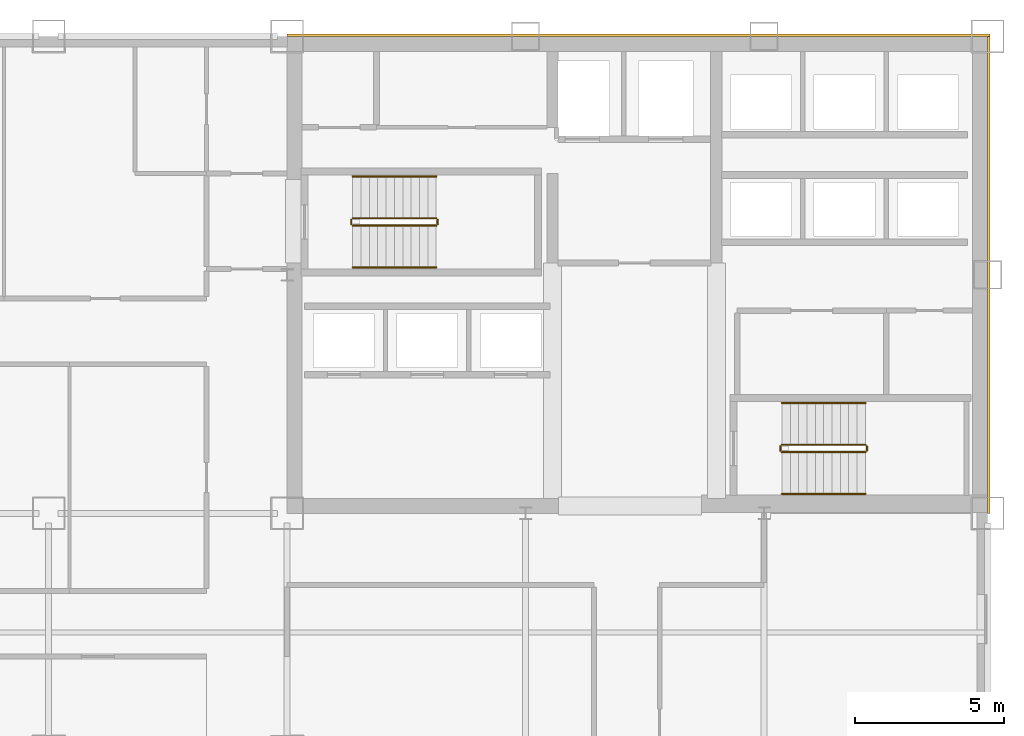
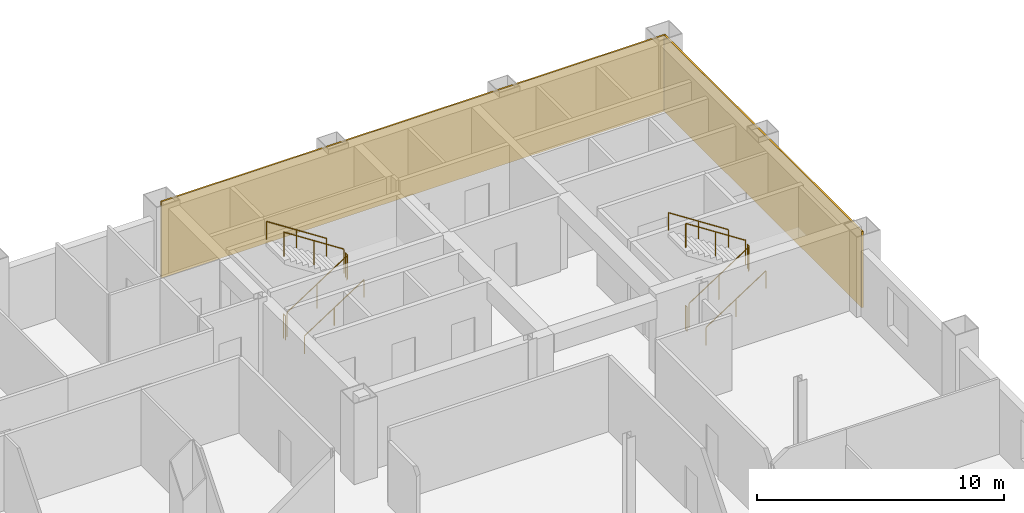
# One storey, part 10 of 10: 12 railings, 2 coverings.
"""IFC4 building model written with IfcOpenShell, lengths in metres."""

from ifc_helpers import new_model, si_unit, direction, frame, origin, origin_2d, place, context, subcontext, project, spatial, rectangle, circle, extrude, material, layer, layer_set, type_object, element, save


model = new_model("IFC4")

# Units and contexts
model_context = context("Model", 3, precision=1e-05, world=origin(), true_north=direction((0.0, 1.0)))
body_context = subcontext(model_context, "Body", "Model", "MODEL_VIEW")
ifc_project = project(units=[si_unit("LENGTHUNIT", "METRE"), si_unit("AREAUNIT", "SQUARE_METRE"), si_unit("VOLUMEUNIT", "CUBIC_METRE"), si_unit("PLANEANGLEUNIT", "RADIAN"), si_unit("MASSUNIT", "GRAM", prefix="KILO")], contexts=[model_context])

# Site, building, storey
site_placement = place(None, origin())
site = spatial("IfcSite", under=ifc_project, at=site_placement, CompositionType="ELEMENT")
building_placement = place(site_placement, origin())
building = spatial("IfcBuilding", under=site, at=building_placement, Name="Qianrong Seaharbour Tower", CompositionType="ELEMENT")
storey_placement = place(building_placement, frame((0.0, 0.0, 179.0)))
storey = spatial("IfcBuildingStorey", under=building, at=storey_placement, Name="L43", CompositionType="ELEMENT", Elevation=179.0)

# Coverings
ifc_material_1 = material(Name="Unitised red brick cladding on Precast concrete C45/55", Category="masonry")
ifc_layer = layer(ifc_material_1, 0.080078125)
ifc_layer_set = layer_set([ifc_layer], Name="Unitised red brick cladding on Precast concrete C45/55")
covering_type = type_object("IfcCoveringType", Name="COV-CLAD-RED-BRICK-80", PredefinedType="CLADDING", material=ifc_layer_set)
covering_1_placement = place(storey_placement, frame((52.2900390625, 52.0400390625, 0.0), z_axis=(0.0, 0.0, 1.0), x_axis=(1.0, 0.0, 0.0)))
element("IfcCovering", 1, at=covering_1_placement, inside=storey, type_object=covering_type, Name="L43 North Core Brick Veneer Cladding", PredefinedType="CLADDING", context=body_context, shape_type="SweptSolid", body=[
    extrude(rectangle(XDim=23.580078125, YDim=0.080078125, at=origin_2d()), origin(), (0.0, 0.0, 1.0), 3.764892578125),
])
covering_2_placement = place(storey_placement, frame((64.0400390625, 44.0, 0.0), z_axis=(0.0, 0.0, 1.0), x_axis=(1.0, 0.0, 0.0)))
element("IfcCovering", 2, at=covering_2_placement, inside=storey, type_object=covering_type, Name="L43 East Core Brick Veneer Cladding", PredefinedType="CLADDING", context=body_context, shape_type="SweptSolid", body=[
    extrude(rectangle(XDim=0.080078125, YDim=16.0, at=origin_2d()), origin(), (0.0, 0.0, 1.0), 3.764892578125),
])

# Railings
ifc_material_2 = material(Name="Galvanized painted steel SN400B stair guard", Category="steel")
railing_type_1 = type_object("IfcRailingType", Name="RAIL-STAIR-GUARD-1220", PredefinedType="GUARDRAIL", material=ifc_material_2)
railing_1_placement = place(storey_placement, frame((42.699951171875, 45.64990234375, 0.181884765625)))
element("IfcRailing", 3, at=railing_1_placement, inside=storey, type_object=railing_type_1, Name="L43 ST-1 stair guard 1", PredefinedType="GUARDRAIL", context=body_context, shape_type="SweptSolid", body=[
    extrude(circle(Radius=0.02392578125, at=origin_2d()), frame((0.0, 0.0, 1.19580078125), z_axis=(0.838705829183, 0.0, 0.544584733623), x_axis=(0.0, 1.0, 0.0)), (0.0, 0.0, 1.0), 3.338623046875),
    extrude(circle(Radius=0.02099609375, at=origin_2d()), origin(), (0.0, 0.0, 1.0), 1.171875),
    extrude(circle(Radius=0.02099609375, at=origin_2d()), frame((1.39990234375, 0.0, 0.9091796875)), (0.0, 0.0, 1.0), 1.171875),
    extrude(circle(Radius=0.02099609375, at=origin_2d()), frame((2.800048828125, 0.0, 1.818115234375)), (0.0, 0.0, 1.0), 1.171875),
])
railing_2_placement = place(storey_placement, frame((45.550048828125, 45.699951171875, 2.0)))
element("IfcRailing", 4, at=railing_2_placement, inside=storey, type_object=railing_type_1, Name="L43 ST-1 stair guard 2", PredefinedType="GUARDRAIL", context=body_context, shape_type="SweptSolid", body=[
    extrude(circle(Radius=0.02392578125, at=origin_2d()), frame((0.0, 0.0, 1.19580078125), z_axis=(0.0, 1.0, 0.0), x_axis=(-1.0, 0.0, 0.0)), (0.0, 0.0, 1.0), 0.150146484375),
    extrude(circle(Radius=0.02099609375, at=origin_2d()), origin(), (0.0, 0.0, 1.0), 1.171875),
    extrude(circle(Radius=0.02099609375, at=origin_2d()), frame((0.0, 0.150146484375, 0.0)), (0.0, 0.0, 1.0), 1.171875),
])
railing_3_placement = place(storey_placement, frame((45.5, 45.89990234375, 2.181884765625)))
element("IfcRailing", 5, at=railing_3_placement, inside=storey, type_object=railing_type_1, Name="L43 ST-1 stair guard 3", PredefinedType="GUARDRAIL", context=body_context, shape_type="SweptSolid", body=[
    extrude(circle(Radius=0.02392578125, at=origin_2d()), frame((0.0, 0.0, 1.19580078125), z_axis=(-0.838705829183, 0.0, 0.544584733623), x_axis=(0.0, -1.0, 0.0)), (0.0, 0.0, 1.0), 3.338623046875),
    extrude(circle(Radius=0.02099609375, at=origin_2d()), origin(), (0.0, 0.0, 1.0), 1.171875),
    extrude(circle(Radius=0.02099609375, at=origin_2d()), frame((-1.39990234375, 0.0, 0.9091796875)), (0.0, 0.0, 1.0), 1.171875),
    extrude(circle(Radius=0.02099609375, at=origin_2d()), frame((-2.800048828125, 0.0, 1.818115234375)), (0.0, 0.0, 1.0), 1.171875),
])
railing_4_placement = place(storey_placement, frame((42.64990234375, 45.699951171875, 0.0)))
element("IfcRailing", 6, at=railing_4_placement, inside=storey, type_object=railing_type_1, Name="L43 ST-1 stair guard 4", PredefinedType="GUARDRAIL", context=body_context, shape_type="SweptSolid", body=[
    extrude(circle(Radius=0.02392578125, at=origin_2d()), frame((0.0, 0.0, 1.19580078125), z_axis=(0.0, 1.0, 0.0), x_axis=(-1.0, 0.0, 0.0)), (0.0, 0.0, 1.0), 0.150146484375),
    extrude(circle(Radius=0.02099609375, at=origin_2d()), origin(), (0.0, 0.0, 1.0), 1.171875),
    extrude(circle(Radius=0.02099609375, at=origin_2d()), frame((0.0, 0.150146484375, 0.0)), (0.0, 0.0, 1.0), 1.171875),
])
railing_5_placement = place(storey_placement, frame((57.10009765625, 38.050048828125, 0.181884765625)))
element("IfcRailing", 7, at=railing_5_placement, inside=storey, type_object=railing_type_1, Name="L43 ST-2 stair guard 1", PredefinedType="GUARDRAIL", context=body_context, shape_type="SweptSolid", body=[
    extrude(circle(Radius=0.02392578125, at=origin_2d()), frame((0.0, 0.0, 1.19580078125), z_axis=(0.83868413941, 0.0, 0.544618136222), x_axis=(0.0, 1.0, 0.0)), (0.0, 0.0, 1.0), 3.33837890625),
    extrude(circle(Radius=0.02099609375, at=origin_2d()), origin(), (0.0, 0.0, 1.0), 1.171875),
    extrude(circle(Radius=0.02099609375, at=origin_2d()), frame((1.39990234375, 0.0, 0.9091796875)), (0.0, 0.0, 1.0), 1.171875),
    extrude(circle(Radius=0.02099609375, at=origin_2d()), frame((2.7998046875, 0.0, 1.818115234375)), (0.0, 0.0, 1.0), 1.171875),
])
railing_6_placement = place(storey_placement, frame((59.949951171875, 38.10009765625, 2.0)))
element("IfcRailing", 8, at=railing_6_placement, inside=storey, type_object=railing_type_1, Name="L43 ST-2 stair guard 2", PredefinedType="GUARDRAIL", context=body_context, shape_type="SweptSolid", body=[
    extrude(circle(Radius=0.02392578125, at=origin_2d()), frame((0.0, 0.0, 1.19580078125), z_axis=(0.0, 1.0, 0.0), x_axis=(-1.0, 0.0, 0.0)), (0.0, 0.0, 1.0), 0.14990234375),
    extrude(circle(Radius=0.02099609375, at=origin_2d()), origin(), (0.0, 0.0, 1.0), 1.171875),
    extrude(circle(Radius=0.02099609375, at=origin_2d()), frame((0.0, 0.14990234375, 0.0)), (0.0, 0.0, 1.0), 1.171875),
])
railing_7_placement = place(storey_placement, frame((59.89990234375, 38.300048828125, 2.181884765625)))
element("IfcRailing", 9, at=railing_7_placement, inside=storey, type_object=railing_type_1, Name="L43 ST-2 stair guard 3", PredefinedType="GUARDRAIL", context=body_context, shape_type="SweptSolid", body=[
    extrude(circle(Radius=0.02392578125, at=origin_2d()), frame((0.0, 0.0, 1.19580078125), z_axis=(-0.83868413941, 0.0, 0.544618136222), x_axis=(0.0, -1.0, 0.0)), (0.0, 0.0, 1.0), 3.33837890625),
    extrude(circle(Radius=0.02099609375, at=origin_2d()), origin(), (0.0, 0.0, 1.0), 1.171875),
    extrude(circle(Radius=0.02099609375, at=origin_2d()), frame((-1.39990234375, 0.0, 0.9091796875)), (0.0, 0.0, 1.0), 1.171875),
    extrude(circle(Radius=0.02099609375, at=origin_2d()), frame((-2.7998046875, 0.0, 1.818115234375)), (0.0, 0.0, 1.0), 1.171875),
])
railing_8_placement = place(storey_placement, frame((57.050048828125, 38.10009765625, 0.0)))
element("IfcRailing", 10, at=railing_8_placement, inside=storey, type_object=railing_type_1, Name="L43 ST-2 stair guard 4", PredefinedType="GUARDRAIL", context=body_context, shape_type="SweptSolid", body=[
    extrude(circle(Radius=0.02392578125, at=origin_2d()), frame((0.0, 0.0, 1.19580078125), z_axis=(0.0, 1.0, 0.0), x_axis=(-1.0, 0.0, 0.0)), (0.0, 0.0, 1.0), 0.14990234375),
    extrude(circle(Radius=0.02099609375, at=origin_2d()), origin(), (0.0, 0.0, 1.0), 1.171875),
    extrude(circle(Radius=0.02099609375, at=origin_2d()), frame((0.0, 0.14990234375, 0.0)), (0.0, 0.0, 1.0), 1.171875),
])
ifc_material_3 = material(Name="Stainless steel SUS316L continuous handrail", Category="steel")
railing_type_2 = type_object("IfcRailingType", Name="RAIL-STAIR-HANDRAIL-900", PredefinedType="HANDRAIL", material=ifc_material_3)
railing_9_placement = place(storey_placement, frame((42.699951171875, 44.25, 0.181884765625)))
element("IfcRailing", 11, at=railing_9_placement, inside=storey, type_object=railing_type_2, Name="L43 ST-1 stair handrail 1", PredefinedType="HANDRAIL", context=body_context, shape_type="SweptSolid", body=[
    extrude(circle(Radius=0.02392578125, at=origin_2d()), frame((0.0, 0.0, 0.8759765625), z_axis=(0.838705829183, 0.0, 0.544584733623), x_axis=(0.0, 1.0, 0.0)), (0.0, 0.0, 1.0), 3.338623046875),
    extrude(circle(Radius=0.02099609375, at=origin_2d()), origin(), (0.0, 0.0, 1.0), 0.851806640625),
    extrude(circle(Radius=0.02099609375, at=origin_2d()), frame((1.39990234375, 0.0, 0.9091796875)), (0.0, 0.0, 1.0), 0.851806640625),
    extrude(circle(Radius=0.02099609375, at=origin_2d()), frame((2.800048828125, 0.0, 1.818115234375)), (0.0, 0.0, 1.0), 0.851806640625),
])
railing_10_placement = place(storey_placement, frame((45.5, 47.300048828125, 2.181884765625)))
element("IfcRailing", 12, at=railing_10_placement, inside=storey, type_object=railing_type_2, Name="L43 ST-1 stair handrail 2", PredefinedType="HANDRAIL", context=body_context, shape_type="SweptSolid", body=[
    extrude(circle(Radius=0.02392578125, at=origin_2d()), frame((0.0, 0.0, 0.8759765625), z_axis=(-0.838705829183, 0.0, 0.544584733623), x_axis=(0.0, -1.0, 0.0)), (0.0, 0.0, 1.0), 3.338623046875),
    extrude(circle(Radius=0.02099609375, at=origin_2d()), origin(), (0.0, 0.0, 1.0), 0.851806640625),
    extrude(circle(Radius=0.02099609375, at=origin_2d()), frame((-1.39990234375, 0.0, 0.9091796875)), (0.0, 0.0, 1.0), 0.851806640625),
    extrude(circle(Radius=0.02099609375, at=origin_2d()), frame((-2.800048828125, 0.0, 1.818115234375)), (0.0, 0.0, 1.0), 0.851806640625),
])
railing_11_placement = place(storey_placement, frame((57.10009765625, 36.64990234375, 0.181884765625)))
element("IfcRailing", 13, at=railing_11_placement, inside=storey, type_object=railing_type_2, Name="L43 ST-2 stair handrail 1", PredefinedType="HANDRAIL", context=body_context, shape_type="SweptSolid", body=[
    extrude(circle(Radius=0.02392578125, at=origin_2d()), frame((0.0, 0.0, 0.8759765625), z_axis=(0.83868413941, 0.0, 0.544618136222), x_axis=(0.0, 1.0, 0.0)), (0.0, 0.0, 1.0), 3.33837890625),
    extrude(circle(Radius=0.02099609375, at=origin_2d()), origin(), (0.0, 0.0, 1.0), 0.851806640625),
    extrude(circle(Radius=0.02099609375, at=origin_2d()), frame((1.39990234375, 0.0, 0.9091796875)), (0.0, 0.0, 1.0), 0.851806640625),
    extrude(circle(Radius=0.02099609375, at=origin_2d()), frame((2.7998046875, 0.0, 1.818115234375)), (0.0, 0.0, 1.0), 0.851806640625),
])
railing_12_placement = place(storey_placement, frame((59.89990234375, 39.699951171875, 2.181884765625)))
element("IfcRailing", 14, at=railing_12_placement, inside=storey, type_object=railing_type_2, Name="L43 ST-2 stair handrail 2", PredefinedType="HANDRAIL", context=body_context, shape_type="SweptSolid", body=[
    extrude(circle(Radius=0.02392578125, at=origin_2d()), frame((0.0, 0.0, 0.8759765625), z_axis=(-0.83868413941, 0.0, 0.544618136222), x_axis=(0.0, -1.0, 0.0)), (0.0, 0.0, 1.0), 3.33837890625),
    extrude(circle(Radius=0.02099609375, at=origin_2d()), origin(), (0.0, 0.0, 1.0), 0.851806640625),
    extrude(circle(Radius=0.02099609375, at=origin_2d()), frame((-1.39990234375, 0.0, 0.9091796875)), (0.0, 0.0, 1.0), 0.851806640625),
    extrude(circle(Radius=0.02099609375, at=origin_2d()), frame((-2.7998046875, 0.0, 1.818115234375)), (0.0, 0.0, 1.0), 0.851806640625),
])

save(model, "model.ifc")
